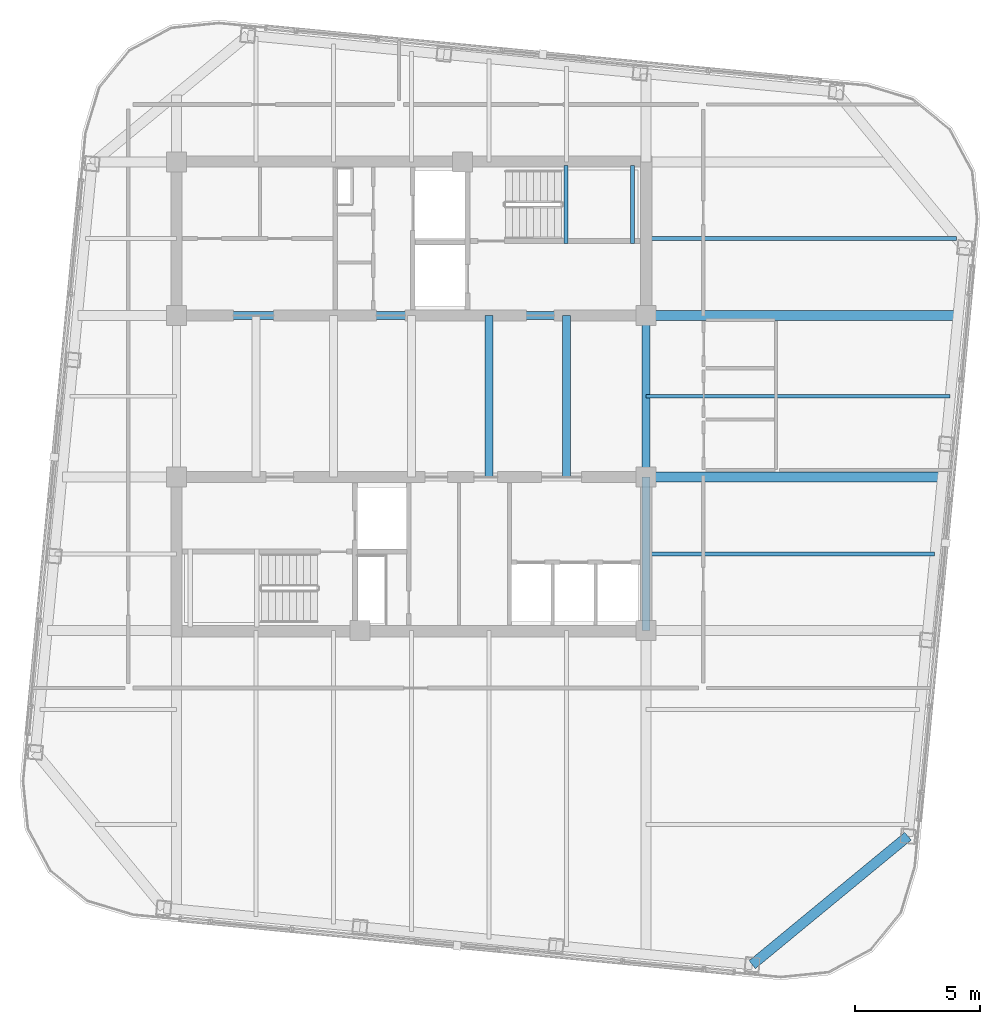
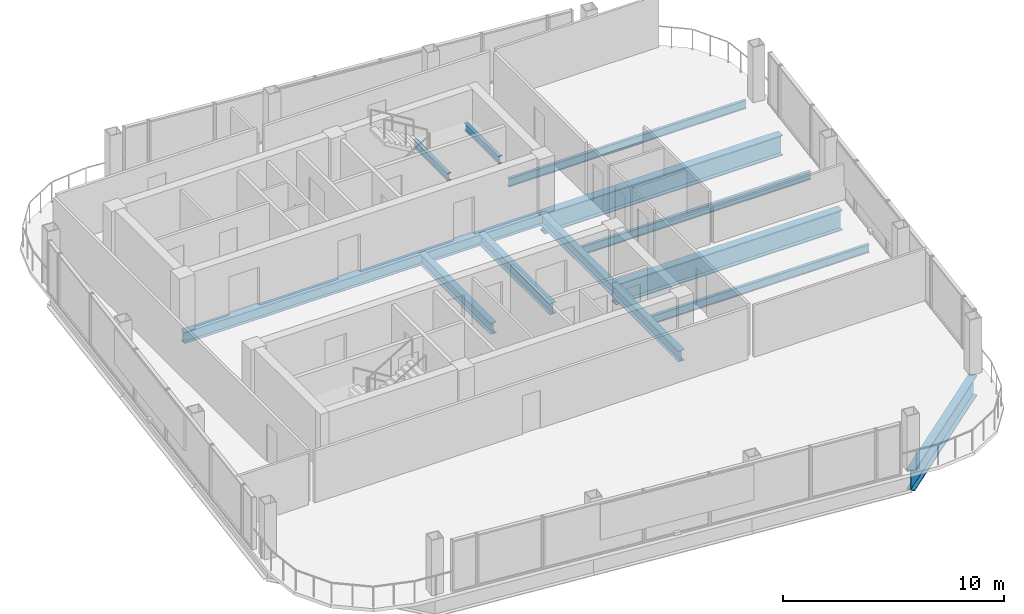
# One storey, part 10 of 22: 13 beams.
"""IFC4 building model written with IfcOpenShell, lengths in metres."""

from ifc_helpers import new_model, si_unit, direction, frame, origin, origin_2d, place, context, subcontext, project, spatial, i_section, extrude, material, material_profile, profile_set, type_object, element, save


model = new_model("IFC4")

# Units and contexts
model_context = context("Model", 3, precision=1e-05, world=origin(), true_north=direction((0.0, 1.0)))
body_context = subcontext(model_context, "Body", "Model", "MODEL_VIEW")
ifc_project = project(units=[si_unit("LENGTHUNIT", "METRE"), si_unit("AREAUNIT", "SQUARE_METRE"), si_unit("VOLUMEUNIT", "CUBIC_METRE"), si_unit("PLANEANGLEUNIT", "RADIAN"), si_unit("MASSUNIT", "GRAM", prefix="KILO")], contexts=[model_context])

# Site, building, storey
site_placement = place(None, origin())
site = spatial("IfcSite", under=ifc_project, at=site_placement, CompositionType="ELEMENT")
building_placement = place(site_placement, origin())
building = spatial("IfcBuilding", under=site, at=building_placement, Name="Qhalaya Broadcast Tower", CompositionType="ELEMENT")
storey_placement = place(building_placement, frame((0.0, 0.0, 245.89990234375)))
storey = spatial("IfcBuildingStorey", under=building, at=storey_placement, Name="L72", CompositionType="ELEMENT", Elevation=245.89990234375)

# Beams
ifc_material = material(Name="Structural Steel ASTM A992 Grade 50", Category="steel")
ifc_material_profile_1 = material_profile(ifc_material, i_section(OverallWidth=0.154052734375, OverallDepth=0.458984375, WebThickness=0.009033203125, FlangeThickness=0.015380859375, at=origin_2d()), Name="W18X46")
ifc_profile_set_1 = profile_set([ifc_material_profile_1], Name="Structural Steel ASTM A992 Grade 50")
beam_type_1 = type_object("IfcBeamType", Name="Composite Floor Joist J04", PredefinedType="JOIST", material=ifc_profile_set_1)
beam_1_placement = place(storey_placement, frame((9.375, -5.699951171875, -0.41943359375), z_axis=(1.0, 0.0, 0.0), x_axis=(0.0, 1.0, 0.0)))
element("IfcBeam", 1, at=beam_1_placement, inside=storey, type_object=beam_type_1, Name="L72 J04 L72-JWE3E-1", PredefinedType="JOIST", context=body_context, shape_type="SweptSolid", body=[
    extrude(i_section(OverallWidth=0.154052734375, OverallDepth=0.458984375, WebThickness=0.009033203125, FlangeThickness=0.015380859375, at=origin_2d()), origin(), (0.0, 0.0, 1.0), 11.517822265625),
])
beam_2_placement = place(storey_placement, frame((9.375, 0.60009765625, -0.41943359375), z_axis=(1.0, 0.0, 0.0), x_axis=(0.0, 1.0, 0.0)))
element("IfcBeam", 2, at=beam_2_placement, inside=storey, type_object=beam_type_1, Name="L72 J04 L72-JWE4E-1", PredefinedType="JOIST", context=body_context, shape_type="SweptSolid", body=[
    extrude(i_section(OverallWidth=0.154052734375, OverallDepth=0.458984375, WebThickness=0.009033203125, FlangeThickness=0.015380859375, at=origin_2d()), origin(), (0.0, 0.0, 1.0), 12.12451171875),
])
beam_3_placement = place(storey_placement, frame((9.375, 6.89990234375, -0.41943359375), z_axis=(1.0, 0.0, 0.0), x_axis=(0.0, 1.0, 0.0)))
element("IfcBeam", 3, at=beam_3_placement, inside=storey, type_object=beam_type_1, Name="L72 J04 L72-JWE5E-1", PredefinedType="JOIST", context=body_context, shape_type="SweptSolid", body=[
    extrude(i_section(OverallWidth=0.154052734375, OverallDepth=0.458984375, WebThickness=0.009033203125, FlangeThickness=0.015380859375, at=origin_2d()), origin(), (0.0, 0.0, 1.0), 12.38330078125),
])
ifc_material_profile_2 = material_profile(ifc_material, i_section(OverallWidth=0.323974609375, OverallDepth=0.612060546875, WebThickness=0.0126953125, FlangeThickness=0.01904296875, at=origin_2d()), Name="W24X104")
ifc_profile_set_2 = profile_set([ifc_material_profile_2], Name="Structural Steel ASTM A992 Grade 50")
beam_type_2 = type_object("IfcBeamType", Name="Core Frame Tie Beam B04", PredefinedType="BEAM", material=ifc_profile_set_2)
beam_4_placement = place(storey_placement, frame((-9.375, 3.824951171875, -0.495849609375), z_axis=(1.0, 0.0, 0.0), x_axis=(0.0, 1.0, 0.0)))
element("IfcBeam", 4, at=beam_4_placement, inside=storey, type_object=beam_type_2, Name="L72 B04 L72-CCN1", PredefinedType="BEAM", context=body_context, shape_type="SweptSolid", body=[
    extrude(i_section(OverallWidth=0.323974609375, OverallDepth=0.612060546875, WebThickness=0.0126953125, FlangeThickness=0.01904296875, at=origin_2d()), origin(), (0.0, 0.0, 1.0), 18.75),
])
beam_5_placement = place(storey_placement, frame((9.375, -8.75, -0.495849609375), z_axis=(0.0, 1.0, 0.0), x_axis=(-1.0, 0.0, 0.0)))
element("IfcBeam", 5, at=beam_5_placement, inside=storey, type_object=beam_type_2, Name="L72 B04 L72-CCS2", PredefinedType="BEAM", context=body_context, shape_type="SweptSolid", body=[
    extrude(i_section(OverallWidth=0.323974609375, OverallDepth=0.612060546875, WebThickness=0.0126953125, FlangeThickness=0.01904296875, at=origin_2d()), origin(), (0.0, 0.0, 1.0), 6.125),
])
for number, where, z_axis, x_axis, name in (
    (6, (9.375, -2.625, -0.495849609375), (0.0, 1.0, 0.0), (-1.0, 0.0, 0.0), "L72 B04 L72-CCE"),
    (7, (3.10009765625, -2.625, -0.495849609375), (0.0, 1.0, 0.0), (-1.0, 0.0, 0.0), "L72 B04 L72-JC4-1"),
    (8, (6.199951171875, -2.625, -0.495849609375), (0.0, 1.0, 0.0), (-1.0, 0.0, 0.0), "L72 B04 L72-JC5-1"),
):
    element("IfcBeam", number, at=place(storey_placement, frame(where, z_axis=z_axis, x_axis=x_axis)), inside=storey, type_object=beam_type_2, Name=name, PredefinedType="BEAM", context=body_context, shape_type="SweptSolid", body=[
        extrude(i_section(OverallWidth=0.323974609375, OverallDepth=0.612060546875, WebThickness=0.0126953125, FlangeThickness=0.01904296875, at=origin_2d()), origin(), (0.0, 0.0, 1.0), 6.449951171875),
    ])
ifc_material_profile_3 = material_profile(ifc_material, i_section(OverallWidth=0.404052734375, OverallDepth=1.117919921875, WebThickness=0.026123046875, FlangeThickness=0.044921875, at=origin_2d()), Name="W44X335")
ifc_profile_set_3 = profile_set([ifc_material_profile_3], Name="Structural Steel ASTM A992 Grade 50")
beam_type_3 = type_object("IfcBeamType", Name="Podium Long-Span Primary Girder PG1", PredefinedType="USERDEFINED", material=ifc_profile_set_3)
beam_6_placement = place(storey_placement, frame((13.6083984375, -22.09033203125, -0.7490234375), z_axis=(0.771631160126, 0.636070241972, 0.0), x_axis=(-0.636070241972, 0.771631160126, 0.0)))
element("IfcBeam", 9, at=beam_6_placement, inside=storey, type_object=beam_type_3, Name="L72 PG1 L72-SPR-04", ObjectType="GIRDER", PredefinedType="USERDEFINED", context=body_context, shape_type="SweptSolid", body=[
    extrude(i_section(OverallWidth=0.404052734375, OverallDepth=1.117919921875, WebThickness=0.026123046875, FlangeThickness=0.044921875, at=origin_2d()), origin(), (0.0, 0.0, 1.0), 8.06103515625),
])
beam_7_placement = place(storey_placement, frame((9.375, -2.625, -0.7490234375), z_axis=(1.0, 0.0, 0.0), x_axis=(0.0, 1.0, 0.0)))
element("IfcBeam", 10, at=beam_7_placement, inside=storey, type_object=beam_type_3, Name="L72 PG1 L72-PGYE2-1", ObjectType="GIRDER", PredefinedType="USERDEFINED", context=body_context, shape_type="SweptSolid", body=[
    extrude(i_section(OverallWidth=0.404052734375, OverallDepth=1.117919921875, WebThickness=0.026123046875, FlangeThickness=0.044921875, at=origin_2d()), origin(), (0.0, 0.0, 1.0), 11.81396484375),
])
beam_8_placement = place(storey_placement, frame((9.375, 3.824951171875, -0.7490234375), z_axis=(1.0, 0.0, 0.0), x_axis=(0.0, 1.0, 0.0)))
element("IfcBeam", 11, at=beam_8_placement, inside=storey, type_object=beam_type_3, Name="L72 PG1 L72-PGYE3-1", ObjectType="GIRDER", PredefinedType="USERDEFINED", context=body_context, shape_type="SweptSolid", body=[
    extrude(i_section(OverallWidth=0.404052734375, OverallDepth=1.117919921875, WebThickness=0.026123046875, FlangeThickness=0.044921875, at=origin_2d()), origin(), (0.0, 0.0, 1.0), 12.43505859375),
])
ifc_material_profile_4 = material_profile(ifc_material, i_section(OverallWidth=0.177978515625, OverallDepth=0.406005859375, WebThickness=0.0078125, FlangeThickness=0.0126953125, at=origin_2d()), Name="W16X40")
ifc_profile_set_4 = profile_set([ifc_material_profile_4], Name="Structural Steel ASTM A992 Grade 50")
beam_type_4 = type_object("IfcBeamType", Name="Upper Perimeter Spandrel Beam SP2", PredefinedType="SPANDREL", material=ifc_profile_set_4)
for number, where, z_axis, x_axis, name in (
    (12, (6.175048828125, 6.699951171875, 1.1220703125), (0.0, 1.0, 0.0), (-1.0, 0.0, 0.0), "L72 ST-1 Half-Landing Bearer Beam 1"),
    (13, (8.830078125, 6.699951171875, 1.1220703125), (0.0, 1.0, 0.0), (-1.0, 0.0, 0.0), "L72 ST-1 Half-Landing Bearer Beam 2"),
):
    element("IfcBeam", number, at=place(storey_placement, frame(where, z_axis=z_axis, x_axis=x_axis)), inside=storey, type_object=beam_type_4, Name=name, PredefinedType="SPANDREL", context=body_context, shape_type="SweptSolid", body=[
        extrude(i_section(OverallWidth=0.177978515625, OverallDepth=0.406005859375, WebThickness=0.0078125, FlangeThickness=0.0126953125, at=origin_2d()), origin(), (0.0, 0.0, 1.0), 3.1201171875),
    ])

save(model, "model.ifc")
